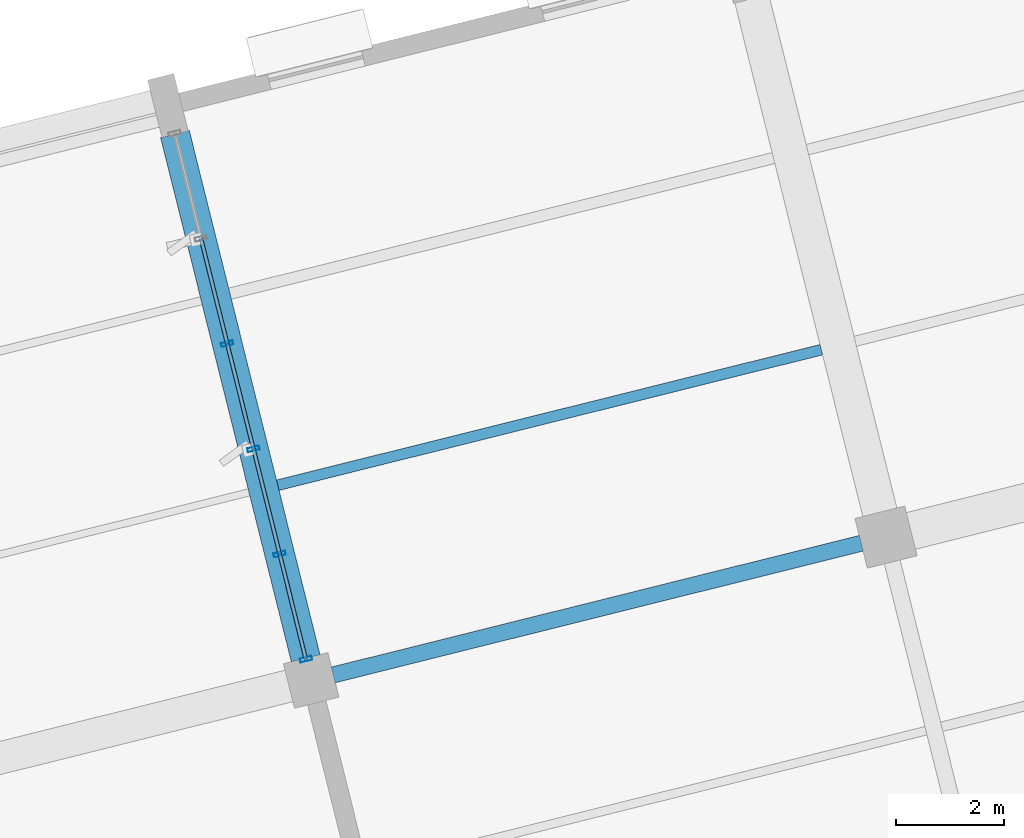
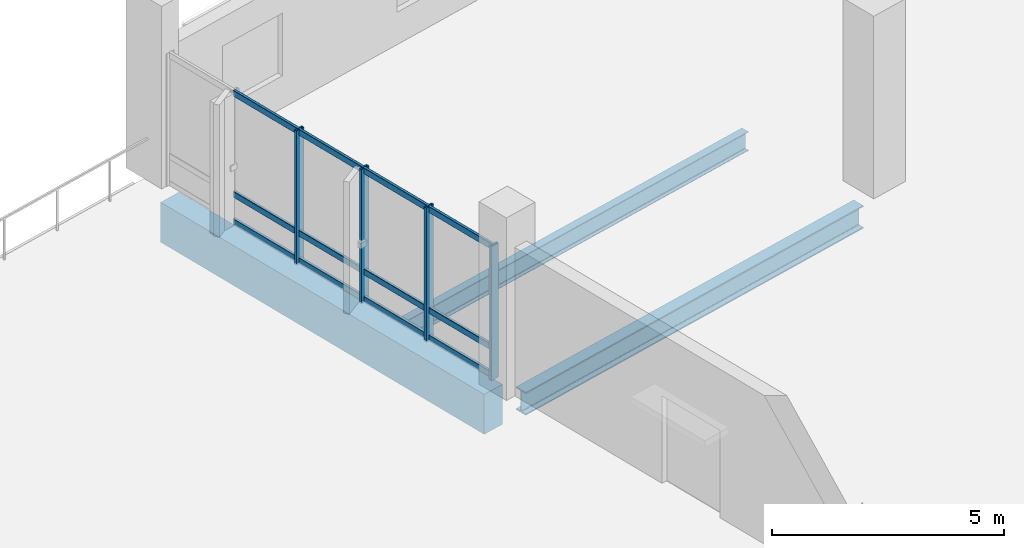
# One storey, part 89 of 137: 16 members, 3 beams, 1 element without a shape of its own.
"""IFC4 building model written with IfcOpenShell, lengths in metres."""

from ifc_helpers import new_model, si_unit, direction, frame, origin, origin_2d, place, context, subcontext, project, spatial, rectangle, hollow_rectangle, i_section, extrude, material, layer, layer_set, material_profile, profile_set, type_object, element, aggregate, save


model = new_model("IFC4")

# Units and contexts
model_context = context("Model", 3, precision=1e-05, world=origin(), true_north=direction((0.0, 1.0)))
body_context = subcontext(model_context, "Body", "Model", "MODEL_VIEW")
ifc_project = project(units=[si_unit("LENGTHUNIT", "METRE"), si_unit("AREAUNIT", "SQUARE_METRE"), si_unit("VOLUMEUNIT", "CUBIC_METRE"), si_unit("PLANEANGLEUNIT", "RADIAN"), si_unit("MASSUNIT", "GRAM", prefix="KILO")], contexts=[model_context])

# Site, building, storey
site_placement = place(None, origin())
site = spatial("IfcSite", under=ifc_project, at=site_placement, CompositionType="ELEMENT")
building_placement = place(site_placement, origin())
building = spatial("IfcBuilding", under=site, at=building_placement, Name="Khorjan Park Terminus", CompositionType="ELEMENT")
storey_placement = place(building_placement, frame((0.0, 0.0, 11.4)))
storey = spatial("IfcBuildingStorey", under=building, at=storey_placement, Name="L02", CompositionType="ELEMENT", Elevation=11.4)

# Beams
ifc_material_1 = material(Name="Steel S355", Category="steel")
ifc_material_profile_1 = material_profile(ifc_material_1, i_section(OverallWidth=0.3, OverallDepth=0.6, WebThickness=0.0155, FlangeThickness=0.03, FilletRadius=0.027, at=origin_2d()), Name="HEB 600")
ifc_profile_set_1 = profile_set([ifc_material_profile_1], Name="Steel S355")
beam_type_1 = type_object("IfcBeamType", Name="BM-HEB600", PredefinedType="BEAM", material=ifc_profile_set_1)
beam_1_placement = place(storey_placement, frame((174.4483, 60.7902, -0.64), z_axis=(0.970296490369, 0.241918830968, 0.0), x_axis=(-0.241918830968, 0.970296490369, 0.0)))
element("IfcBeam", 1, at=beam_1_placement, inside=storey, type_object=beam_type_1, Name="Primary skew-grid floor girder SB-B60 (L02)", PredefinedType="BEAM", context=body_context, shape_type="SweptSolid", body=[
    extrude(i_section(OverallWidth=0.3, OverallDepth=0.6, WebThickness=0.0155, FlangeThickness=0.03, FilletRadius=0.027, at=origin_2d()), origin(), (0.0, 0.0, 1.0), 10.11),
])
ifc_material_2 = material(Name="Concrete C40/50", Category="concrete")
ifc_material_profile_2 = material_profile(ifc_material_2, rectangle(XDim=0.55, YDim=1.05, at=origin_2d()), Name="RC 550x1050")
ifc_profile_set_2 = profile_set([ifc_material_profile_2], Name="Concrete C40/50")
beam_type_2 = type_object("IfcBeamType", Name="BM-RC550x1050", PredefinedType="BEAM", material=ifc_profile_set_2)
beam_2_placement = place(storey_placement, frame((173.9392, 61.0961, -0.865), z_axis=(-0.24192360021, 0.970295301267, 0.0), x_axis=(-0.970295301267, -0.24192360021, 0.0)))
element("IfcBeam", 2, at=beam_2_placement, inside=storey, type_object=beam_type_2, Name="Primary skew-grid floor girder GB-105 (L02)", PredefinedType="BEAM", context=body_context, shape_type="SweptSolid", body=[
    extrude(rectangle(XDim=0.55, YDim=1.05, at=origin_2d()), origin(), (0.0, 0.0, 1.0), 10.035),
])
ifc_material_profile_3 = material_profile(ifc_material_1, i_section(OverallWidth=0.2, OverallDepth=0.5, WebThickness=0.0102, FlangeThickness=0.016, FilletRadius=0.021, at=origin_2d()), Name="IPE 500")
ifc_profile_set_3 = profile_set([ifc_material_profile_3], Name="Steel S355")
beam_type_3 = type_object("IfcBeamType", Name="JS-IPE500", PredefinedType="JOIST", material=ifc_profile_set_3)
beam_3_placement = place(storey_placement, frame((173.4206, 64.3129, -0.59), z_axis=(0.970297843589, 0.241913403364, 0.0), x_axis=(-0.241913403364, 0.970297843589, 0.0)))
element("IfcBeam", 3, at=beam_3_placement, inside=storey, type_object=beam_type_3, Name="Secondary composite floor joist SJ-50 (L02)", PredefinedType="JOIST", context=body_context, shape_type="SweptSolid", body=[
    extrude(i_section(OverallWidth=0.2, OverallDepth=0.5, WebThickness=0.0102, FlangeThickness=0.016, FilletRadius=0.021, at=origin_2d()), origin(), (0.0, 0.0, 1.0), 10.4),
])

# Curtain wall, members
ifc_material_3 = material(Name="Anodized Bronze Aluminium", Category="aluminium")
ifc_layer = layer(ifc_material_3, 0.22)
ifc_layer_set = layer_set([ifc_layer], Name="Anodized Bronze Aluminium")
curtain_wall_type = type_object("IfcCurtainWallType", Name="CW-OPS-B", PredefinedType="NOTDEFINED", material=ifc_layer_set)
curtain_wall_placement = place(storey_placement, origin())
curtain_wall = element("IfcCurtainWall", 4, at=curtain_wall_placement, inside=storey, type_object=curtain_wall_type, Name="Unitized curtain wall CW-B (CW-V5-NW1-L02-B01)", PredefinedType="NOTDEFINED")
ifc_material_profile_4 = material_profile(ifc_material_3, hollow_rectangle(XDim=0.075, YDim=0.225, WallThickness=0.005, InnerFilletRadius=0.005, OuterFilletRadius=0.01, at=origin_2d()), Name="ALM 75x225x5")
ifc_profile_set_4 = profile_set([ifc_material_profile_4], Name="Anodized Bronze Aluminium")
member_type_1 = type_object("IfcMemberType", Name="ML-ALM-225", PredefinedType="MULLION", material=ifc_profile_set_4)
member_1_placement = place(storey_placement, frame((172.4819, 66.941, -0.035), z_axis=(0.0, 0.0, 1.0), x_axis=(0.241920791413, -0.97029600158, 0.0)))
member_1 = element("IfcMember", 5, at=member_1_placement, type_object=member_type_1, Name="Curtain-wall mullion ML-22 (CW-V5-NW1-L02-B01-2)", PredefinedType="MULLION", context=body_context, shape_type="SweptSolid", body=[
    extrude(hollow_rectangle(XDim=0.075, YDim=0.225, WallThickness=0.005, InnerFilletRadius=0.005, OuterFilletRadius=0.01, at=origin_2d()), origin(), (0.0, 0.0, 1.0), 3.525),
])
member_2_placement = place(storey_placement, frame((172.969, 64.9877, -0.035), z_axis=(0.0, 0.0, 1.0), x_axis=(0.241920791413, -0.97029600158, 0.0)))
member_2 = element("IfcMember", 6, at=member_2_placement, type_object=member_type_1, Name="Curtain-wall mullion ML-22 (CW-V5-NW1-L02-B01-3)", PredefinedType="MULLION", context=body_context, shape_type="SweptSolid", body=[
    extrude(hollow_rectangle(XDim=0.075, YDim=0.225, WallThickness=0.005, InnerFilletRadius=0.005, OuterFilletRadius=0.01, at=origin_2d()), origin(), (0.0, 0.0, 1.0), 3.525),
])
member_3_placement = place(storey_placement, frame((173.456, 63.0343, -0.035), z_axis=(0.0, 0.0, 1.0), x_axis=(0.241920791413, -0.97029600158, 0.0)))
member_3 = element("IfcMember", 7, at=member_3_placement, type_object=member_type_1, Name="Curtain-wall mullion ML-22 (CW-V5-NW1-L02-B01-4)", PredefinedType="MULLION", context=body_context, shape_type="SweptSolid", body=[
    extrude(hollow_rectangle(XDim=0.075, YDim=0.225, WallThickness=0.005, InnerFilletRadius=0.005, OuterFilletRadius=0.01, at=origin_2d()), origin(), (0.0, 0.0, 1.0), 3.525),
])
member_4_placement = place(storey_placement, frame((173.943, 61.081, -0.035), z_axis=(0.0, 0.0, 1.0), x_axis=(0.241920791413, -0.97029600158, 0.0)))
member_4 = element("IfcMember", 8, at=member_4_placement, type_object=member_type_1, Name="Curtain-wall mullion ML-22 (CW-V5-NW1-L02-B01-5)", PredefinedType="MULLION", context=body_context, shape_type="SweptSolid", body=[
    extrude(hollow_rectangle(XDim=0.075, YDim=0.225, WallThickness=0.005, InnerFilletRadius=0.005, OuterFilletRadius=0.01, at=origin_2d()), origin(), (0.0, 0.0, 1.0), 3.525),
])
ifc_material_profile_5 = material_profile(ifc_material_3, hollow_rectangle(XDim=0.07, YDim=0.16, WallThickness=0.004, InnerFilletRadius=0.004, OuterFilletRadius=0.008, at=origin_2d()), Name="ALT 70x160x4")
ifc_profile_set_5 = profile_set([ifc_material_profile_5], Name="Anodized Bronze Aluminium")
member_type_2 = type_object("IfcMemberType", Name="TR-ALT-160", PredefinedType="USERDEFINED", material=ifc_profile_set_5)
member_5_placement = place(storey_placement, frame((171.9949, 68.8944, 0.04), z_axis=(0.241904442422, -0.970300077675, 0.0), x_axis=(0.970300077675, 0.241904442422, 0.0)))
member_5 = element("IfcMember", 9, at=member_5_placement, type_object=member_type_2, Name="Curtain-wall transom TR-16 (CW-V5-NW1-L02-B01-1-1)", ObjectType="TRANSOM", PredefinedType="USERDEFINED", context=body_context, shape_type="SweptSolid", body=[
    extrude(hollow_rectangle(XDim=0.07, YDim=0.16, WallThickness=0.004, InnerFilletRadius=0.004, OuterFilletRadius=0.008, at=origin_2d()), origin(), (0.0, 0.0, 1.0), 2.0132),
])
member_6_placement = place(storey_placement, frame((171.9949, 68.8944, 0.76), z_axis=(0.241904442422, -0.970300077675, 0.0), x_axis=(0.970300077675, 0.241904442422, 0.0)))
member_6 = element("IfcMember", 10, at=member_6_placement, type_object=member_type_2, Name="Curtain-wall transom TR-16 (CW-V5-NW1-L02-B01-1-2)", ObjectType="TRANSOM", PredefinedType="USERDEFINED", context=body_context, shape_type="SweptSolid", body=[
    extrude(hollow_rectangle(XDim=0.07, YDim=0.16, WallThickness=0.004, InnerFilletRadius=0.004, OuterFilletRadius=0.008, at=origin_2d()), origin(), (0.0, 0.0, 1.0), 2.0132),
])
member_7_placement = place(storey_placement, frame((171.9949, 68.8944, 3.415), z_axis=(0.241904442422, -0.970300077675, 0.0), x_axis=(0.970300077675, 0.241904442422, 0.0)))
member_7 = element("IfcMember", 11, at=member_7_placement, type_object=member_type_2, Name="Curtain-wall transom TR-16 (CW-V5-NW1-L02-B01-1-3)", ObjectType="TRANSOM", PredefinedType="USERDEFINED", context=body_context, shape_type="SweptSolid", body=[
    extrude(hollow_rectangle(XDim=0.07, YDim=0.16, WallThickness=0.004, InnerFilletRadius=0.004, OuterFilletRadius=0.008, at=origin_2d()), origin(), (0.0, 0.0, 1.0), 2.0132),
])
member_8_placement = place(storey_placement, frame((172.4819, 66.941, 0.04), z_axis=(0.241962868846, -0.97028550958, 0.0), x_axis=(0.97028550958, 0.241962868846, 0.0)))
member_8 = element("IfcMember", 12, at=member_8_placement, type_object=member_type_2, Name="Curtain-wall transom TR-16 (CW-V5-NW1-L02-B01-2-1)", ObjectType="TRANSOM", PredefinedType="USERDEFINED", context=body_context, shape_type="SweptSolid", body=[
    extrude(hollow_rectangle(XDim=0.07, YDim=0.16, WallThickness=0.004, InnerFilletRadius=0.004, OuterFilletRadius=0.008, at=origin_2d()), origin(), (0.0, 0.0, 1.0), 2.0131),
])
member_9_placement = place(storey_placement, frame((172.4819, 66.941, 0.76), z_axis=(0.241962868846, -0.97028550958, 0.0), x_axis=(0.97028550958, 0.241962868846, 0.0)))
member_9 = element("IfcMember", 13, at=member_9_placement, type_object=member_type_2, Name="Curtain-wall transom TR-16 (CW-V5-NW1-L02-B01-2-2)", ObjectType="TRANSOM", PredefinedType="USERDEFINED", context=body_context, shape_type="SweptSolid", body=[
    extrude(hollow_rectangle(XDim=0.07, YDim=0.16, WallThickness=0.004, InnerFilletRadius=0.004, OuterFilletRadius=0.008, at=origin_2d()), origin(), (0.0, 0.0, 1.0), 2.0131),
])
member_10_placement = place(storey_placement, frame((172.4819, 66.941, 3.415), z_axis=(0.241962868846, -0.97028550958, 0.0), x_axis=(0.97028550958, 0.241962868846, 0.0)))
member_10 = element("IfcMember", 14, at=member_10_placement, type_object=member_type_2, Name="Curtain-wall transom TR-16 (CW-V5-NW1-L02-B01-2-3)", ObjectType="TRANSOM", PredefinedType="USERDEFINED", context=body_context, shape_type="SweptSolid", body=[
    extrude(hollow_rectangle(XDim=0.07, YDim=0.16, WallThickness=0.004, InnerFilletRadius=0.004, OuterFilletRadius=0.008, at=origin_2d()), origin(), (0.0, 0.0, 1.0), 2.0131),
])
member_11_placement = place(storey_placement, frame((172.969, 64.9877, 0.04), z_axis=(0.241904442422, -0.970300077675, 0.0), x_axis=(0.970300077675, 0.241904442422, 0.0)))
member_11 = element("IfcMember", 15, at=member_11_placement, type_object=member_type_2, Name="Curtain-wall transom TR-16 (CW-V5-NW1-L02-B01-3-1)", ObjectType="TRANSOM", PredefinedType="USERDEFINED", context=body_context, shape_type="SweptSolid", body=[
    extrude(hollow_rectangle(XDim=0.07, YDim=0.16, WallThickness=0.004, InnerFilletRadius=0.004, OuterFilletRadius=0.008, at=origin_2d()), origin(), (0.0, 0.0, 1.0), 2.0132),
])
member_12_placement = place(storey_placement, frame((172.969, 64.9877, 0.76), z_axis=(0.241904442422, -0.970300077675, 0.0), x_axis=(0.970300077675, 0.241904442422, 0.0)))
member_12 = element("IfcMember", 16, at=member_12_placement, type_object=member_type_2, Name="Curtain-wall transom TR-16 (CW-V5-NW1-L02-B01-3-2)", ObjectType="TRANSOM", PredefinedType="USERDEFINED", context=body_context, shape_type="SweptSolid", body=[
    extrude(hollow_rectangle(XDim=0.07, YDim=0.16, WallThickness=0.004, InnerFilletRadius=0.004, OuterFilletRadius=0.008, at=origin_2d()), origin(), (0.0, 0.0, 1.0), 2.0132),
])
member_13_placement = place(storey_placement, frame((172.969, 64.9877, 3.415), z_axis=(0.241904442422, -0.970300077675, 0.0), x_axis=(0.970300077675, 0.241904442422, 0.0)))
member_13 = element("IfcMember", 17, at=member_13_placement, type_object=member_type_2, Name="Curtain-wall transom TR-16 (CW-V5-NW1-L02-B01-3-3)", ObjectType="TRANSOM", PredefinedType="USERDEFINED", context=body_context, shape_type="SweptSolid", body=[
    extrude(hollow_rectangle(XDim=0.07, YDim=0.16, WallThickness=0.004, InnerFilletRadius=0.004, OuterFilletRadius=0.008, at=origin_2d()), origin(), (0.0, 0.0, 1.0), 2.0132),
])
member_14_placement = place(storey_placement, frame((173.456, 63.0343, 0.04), z_axis=(0.241916102061, -0.970297170749, 0.0), x_axis=(0.970297170749, 0.241916102061, 0.0)))
member_14 = element("IfcMember", 18, at=member_14_placement, type_object=member_type_2, Name="Curtain-wall transom TR-16 (CW-V5-NW1-L02-B01-4-1)", ObjectType="TRANSOM", PredefinedType="USERDEFINED", context=body_context, shape_type="SweptSolid", body=[
    extrude(hollow_rectangle(XDim=0.07, YDim=0.16, WallThickness=0.004, InnerFilletRadius=0.004, OuterFilletRadius=0.008, at=origin_2d()), origin(), (0.0, 0.0, 1.0), 2.0131),
])
member_15_placement = place(storey_placement, frame((173.456, 63.0343, 0.76), z_axis=(0.241916102061, -0.970297170749, 0.0), x_axis=(0.970297170749, 0.241916102061, 0.0)))
member_15 = element("IfcMember", 19, at=member_15_placement, type_object=member_type_2, Name="Curtain-wall transom TR-16 (CW-V5-NW1-L02-B01-4-2)", ObjectType="TRANSOM", PredefinedType="USERDEFINED", context=body_context, shape_type="SweptSolid", body=[
    extrude(hollow_rectangle(XDim=0.07, YDim=0.16, WallThickness=0.004, InnerFilletRadius=0.004, OuterFilletRadius=0.008, at=origin_2d()), origin(), (0.0, 0.0, 1.0), 2.0131),
])
member_16_placement = place(storey_placement, frame((173.456, 63.0343, 3.415), z_axis=(0.241916102061, -0.970297170749, 0.0), x_axis=(0.970297170749, 0.241916102061, 0.0)))
member_16 = element("IfcMember", 20, at=member_16_placement, type_object=member_type_2, Name="Curtain-wall transom TR-16 (CW-V5-NW1-L02-B01-4-3)", ObjectType="TRANSOM", PredefinedType="USERDEFINED", context=body_context, shape_type="SweptSolid", body=[
    extrude(hollow_rectangle(XDim=0.07, YDim=0.16, WallThickness=0.004, InnerFilletRadius=0.004, OuterFilletRadius=0.008, at=origin_2d()), origin(), (0.0, 0.0, 1.0), 2.0131),
])
aggregate(curtain_wall, [member_1, member_2, member_3, member_4, member_5, member_6, member_7, member_8, member_9, member_10, member_11, member_12, member_13, member_14, member_15, member_16])

save(model, "model.ifc")
